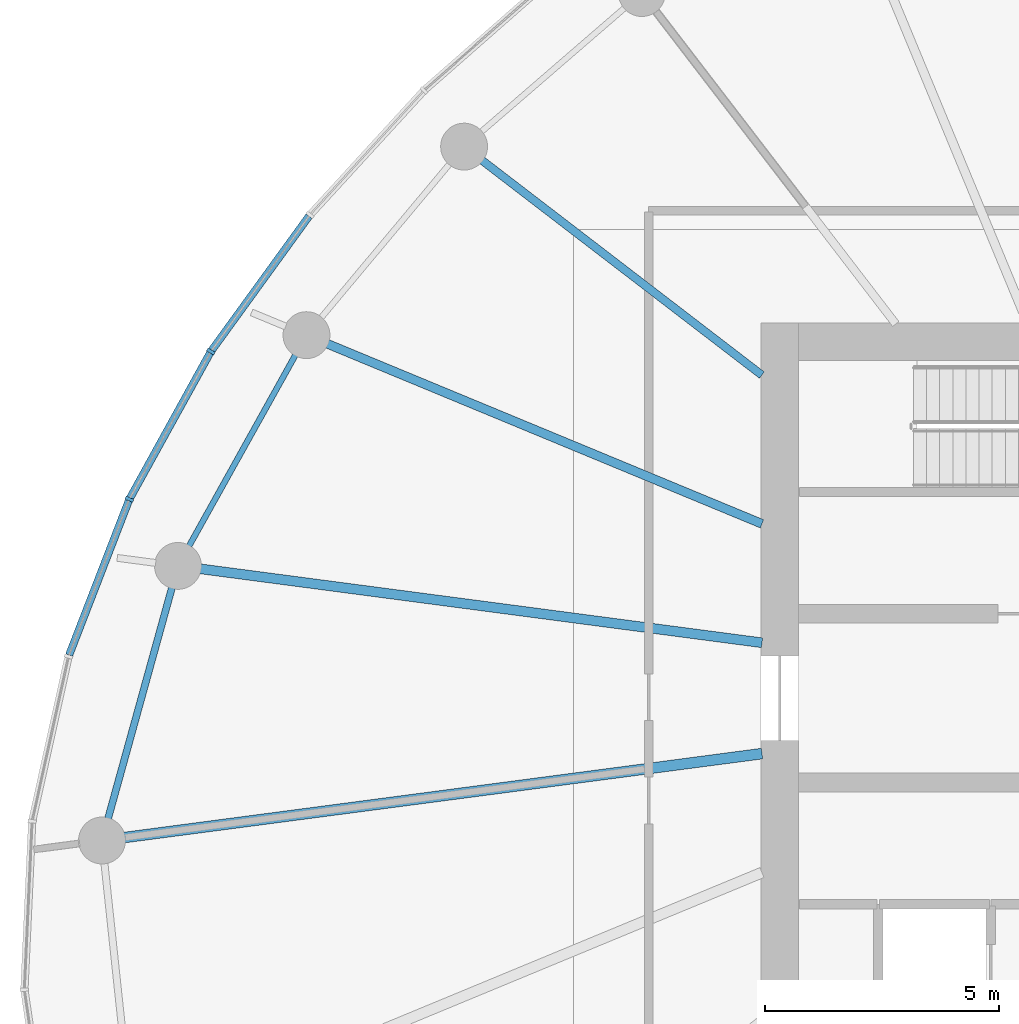
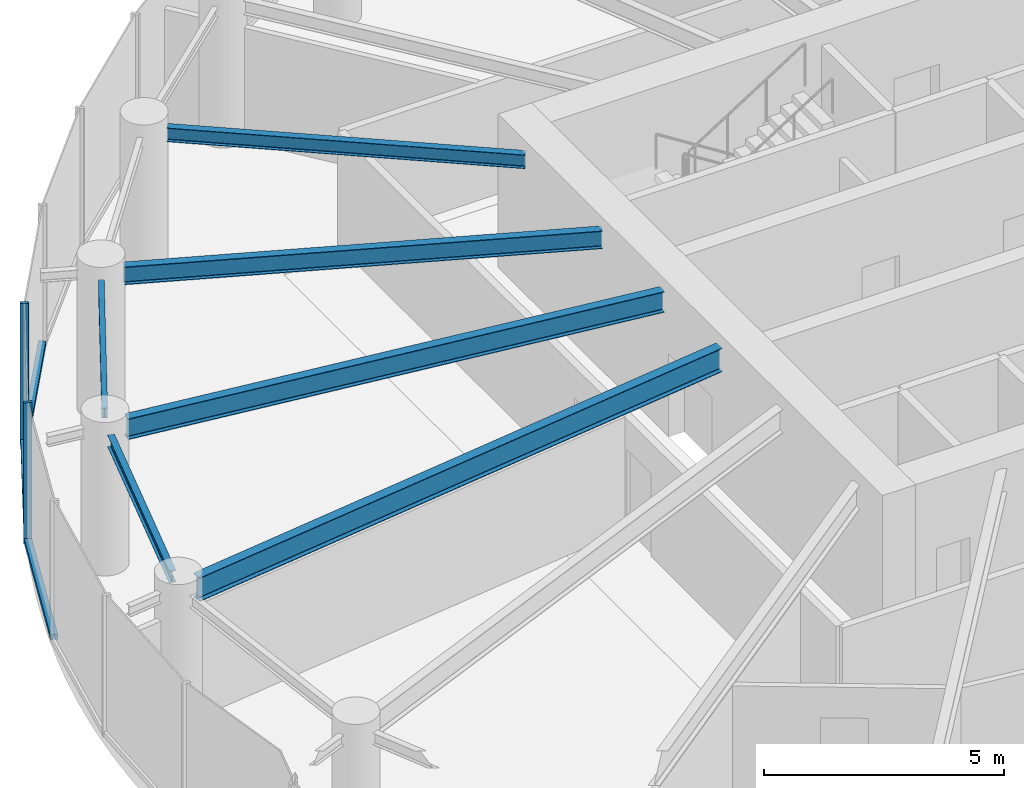
# One storey, part 3 of 14: 6 beams, 5 members, 1 element without a shape of its own.
"""IFC4 building model written with IfcOpenShell, lengths in metres."""

import ifcopenshell
import ifcopenshell.guid

model = None  # the IFC model being written
_history = None  # IfcOwnerHistory: only IFC2X3 demands one
_inside = {}  # id of a spatial element -> (the spatial element, [elements in it])
_under = {}  # id of a project, library or spatial element -> (it, [spatial elements below it])
_declared = {}  # id of a project -> (the project, [libraries it declares])
_typed = {}  # id of a type object -> (the type object, [elements of that type])
_made_of = {}  # id of a material, layer set ... -> (it, [elements and type objects made of it])


def new_model(schema):
    """Start an empty IFC model of exactly this schema.

    Asked for "IFC4X3", IfcOpenShell would pick the latest addendum, in which some entities
    have other attributes; the version numbers below select the first issue.
    IFC2X3 requires an IfcOwnerHistory on every rooted entity: one is made here for all.
    """
    global model, _history
    if schema == "IFC4X3":
        model = ifcopenshell.file(schema_version=(4, 3, 0, 0))
    else:
        model = ifcopenshell.file(schema=schema)
    _inside.clear()
    _under.clear()
    _declared.clear()
    _typed.clear()
    _made_of.clear()
    _history = None
    if model.schema == "IFC2X3":
        org = make("IfcOrganization", Name="unknown")
        user = make(
            "IfcPersonAndOrganization",
            ThePerson=make("IfcPerson", FamilyName="unknown"),
            TheOrganization=org,
        )
        app = make(
            "IfcApplication",
            ApplicationDeveloper=org,
            Version="unknown",
            ApplicationFullName="unknown",
            ApplicationIdentifier="unknown",
        )
        _history = make(
            "IfcOwnerHistory",
            OwningUser=user,
            OwningApplication=app,
            ChangeAction="ADDED",
            CreationDate=0,
        )
    return model


def make(cls, **values):
    """One entity of the class cls with the attributes given. An attribute that is None is left unset."""
    return model.create_entity(
        cls, **{name: value for name, value in values.items() if value is not None}
    )


def rooted(cls, **values):
    """An entity with a GlobalId (a new one), such as an element, a storey or a relation."""
    return make(cls, GlobalId=ifcopenshell.guid.new(), OwnerHistory=_history, **values)


def si_unit(unit_type, name, prefix=None):
    """IfcSIUnit, for example si_unit("LENGTHUNIT", "METRE", prefix="MILLI")."""
    return make("IfcSIUnit", UnitType=unit_type, Prefix=prefix, Name=name)


def assignment(units):
    """IfcUnitAssignment: the units of a project."""
    return None if units is None else make("IfcUnitAssignment", Units=units)


def point(xyz):
    """IfcCartesianPoint."""
    return None if xyz is None else make("IfcCartesianPoint", Coordinates=xyz)


def direction(xyz):
    """IfcDirection."""
    return None if xyz is None else make("IfcDirection", DirectionRatios=xyz)


def frame(location, z_axis=None, x_axis=None):
    """IfcAxis2Placement3D, a coordinate frame: its origin and axes. An axis left out is left unset."""
    return make(
        "IfcAxis2Placement3D",
        Location=point(location),
        Axis=direction(z_axis),
        RefDirection=direction(x_axis),
    )


def frame_2d(location, x_axis=None):
    """IfcAxis2Placement2D, a coordinate frame in the plane: its origin and x axis."""
    return make(
        "IfcAxis2Placement2D", Location=point(location), RefDirection=direction(x_axis)
    )


def origin():
    """The frame at (0, 0, 0) with its axes left unset."""
    return frame((0.0, 0.0, 0.0))


def origin_2d():
    """The frame at (0, 0) in the plane with its x axis left unset."""
    return frame_2d((0.0, 0.0))


def place(relative_to, where):
    """IfcLocalPlacement: puts the frame where relative to a parent placement (None: the world)."""
    return make(
        "IfcLocalPlacement", PlacementRelTo=relative_to, RelativePlacement=where
    )


def context(
    kind, dimensions, precision=None, world=None, true_north=None, identifier=None
):
    """IfcGeometricRepresentationContext, for example the 3D "Model" context."""
    return make(
        "IfcGeometricRepresentationContext",
        ContextIdentifier=identifier,
        ContextType=kind,
        CoordinateSpaceDimension=dimensions,
        Precision=precision,
        WorldCoordinateSystem=world,
        TrueNorth=true_north,
    )


def subcontext(parent, identifier, kind, view, scale=None):
    """IfcGeometricRepresentationSubContext, for example "Body" below "Model"."""
    return make(
        "IfcGeometricRepresentationSubContext",
        ContextIdentifier=identifier,
        ContextType=kind,
        ParentContext=parent,
        TargetScale=scale,
        TargetView=view,
    )


def project(units=None, contexts=None):
    """IfcProject with its units and contexts."""
    return rooted(
        "IfcProject",
        Name="project",
        RepresentationContexts=contexts,
        UnitsInContext=assignment(units),
    )


def spatial(cls, under=None, at=None, **own):
    """A site, building, storey or space (cls), placed at a placement, below another one or the project."""
    s = rooted(cls, ObjectPlacement=at, **own)
    if under is not None:
        _under.setdefault(under.id(), (under, []))[1].append(s)
    return s


def profile(cls, at=None, kind="AREA", **sizes):
    """A parametric profile (cls). Its sizes go by their IFC names, for example OverallWidth=200.0."""
    return make(cls, ProfileType=kind, Position=at, **sizes)


def rectangle(**sizes):
    """IfcRectangleProfileDef."""
    return profile("IfcRectangleProfileDef", **sizes)


def i_section(**sizes):
    """IfcIShapeProfileDef."""
    return profile("IfcIShapeProfileDef", **sizes)


def extrude(swept, where, along, depth):
    """IfcExtrudedAreaSolid: the profile swept, set in the frame where, extruded along a direction by depth."""
    return make(
        "IfcExtrudedAreaSolid",
        SweptArea=swept,
        Position=where,
        ExtrudedDirection=direction(along),
        Depth=depth,
    )


def shape(context_of_items, identifier, shape_type, items):
    """IfcShapeRepresentation: the items that make up one representation, for example the "Body"."""
    return make(
        "IfcShapeRepresentation",
        ContextOfItems=context_of_items,
        RepresentationIdentifier=identifier,
        RepresentationType=shape_type,
        Items=items,
    )


def source(mapping_origin, context_of_items, identifier, shape_type, items):
    """IfcRepresentationMap: a shape defined once, which mapped items show again and again."""
    return make(
        "IfcRepresentationMap",
        MappingOrigin=mapping_origin,
        MappedRepresentation=shape(context_of_items, identifier, shape_type, items),
    )


def transform(
    local_origin,
    x_axis=None,
    y_axis=None,
    z_axis=None,
    scale=None,
    scale2=None,
    scale3=None,
    uniform=True,
):
    """IfcCartesianTransformationOperator3D, or its non-uniform kind. x_axis, y_axis, z_axis: its Axis1, 2, 3."""
    if uniform:
        return make(
            "IfcCartesianTransformationOperator3D",
            Axis1=direction(x_axis),
            Axis2=direction(y_axis),
            LocalOrigin=point(local_origin),
            Scale=scale,
            Axis3=direction(z_axis),
        )
    return make(
        "IfcCartesianTransformationOperator3DnonUniform",
        Axis1=direction(x_axis),
        Axis2=direction(y_axis),
        LocalOrigin=point(local_origin),
        Scale=scale,
        Axis3=direction(z_axis),
        Scale2=scale2,
        Scale3=scale3,
    )


def mapped(mapping_source, mapping_target):
    """IfcMappedItem: shows the shape of a source again, moved by a transform."""
    return make(
        "IfcMappedItem", MappingSource=mapping_source, MappingTarget=mapping_target
    )


def material(Name=None, Category=None):
    """IfcMaterial."""
    return make("IfcMaterial", Name=Name, Category=Category)


def layer(
    of_material, thickness, ventilated=None, Name=None, Category=None, Priority=None
):
    """IfcMaterialLayer: one layer of a wall or slab, of a material (None: an air gap)."""
    return make(
        "IfcMaterialLayer",
        Material=of_material,
        LayerThickness=thickness,
        IsVentilated=ventilated,
        Name=Name,
        Category=Category,
        Priority=Priority,
    )


def layer_set(layers, Name=None):
    """IfcMaterialLayerSet."""
    return make("IfcMaterialLayerSet", MaterialLayers=layers, LayerSetName=Name)


def material_profile(
    of_material, cross_section, Name=None, Category=None, Priority=None
):
    """IfcMaterialProfile: a cross section and its material."""
    return make(
        "IfcMaterialProfile",
        Name=Name,
        Material=of_material,
        Profile=cross_section,
        Priority=Priority,
        Category=Category,
    )


def profile_set(profiles, Name=None, composite=None):
    """IfcMaterialProfileSet."""
    return make(
        "IfcMaterialProfileSet",
        Name=Name,
        MaterialProfiles=profiles,
        CompositeProfile=composite,
    )


def made_of(thing, what):
    """Note that an element or type object is made of a material, layer set ...; save() writes the relation."""
    if what is not None:
        _made_of.setdefault(what.id(), (what, []))[1].append(thing)
    return thing


def type_object(cls, material=None, **own):
    """A type object (cls), such as IfcWallType, which elements share."""
    return made_of(rooted(cls, **own), material)


def element(
    cls,
    number,
    at=None,
    inside=None,
    cuts=None,
    type_object=None,
    material=None,
    context=None,
    identifier="Body",
    shape_type=None,
    held_by="IfcProductDefinitionShape",
    body=None,
    shapes=None,
    **own,
):
    """One element of the class cls, such as IfcWall. Its Tag is "e" and its number.

    at: its placement. inside: the storey or other place that contains it. cuts: it is an
    opening in that element (IfcRelVoidsElement). A single representation is given by context,
    identifier, shape_type and body (its items); several are given by shapes. held_by: the class
    of the entity that holds the representations. save() writes the other relations.
    """
    e = rooted(cls, Tag="e%d" % number, ObjectPlacement=at, **own)
    if body is not None:
        shapes = [shape(context, identifier, shape_type, body)]
    if shapes is not None:
        e.Representation = make(held_by, Representations=shapes)
    if inside is not None:
        _inside.setdefault(inside.id(), (inside, []))[1].append(e)
    if cuts is not None:
        rooted(
            "IfcRelVoidsElement", RelatingBuildingElement=cuts, RelatedOpeningElement=e
        )
    if type_object is not None:
        _typed.setdefault(type_object.id(), (type_object, []))[1].append(e)
    return made_of(e, material)


def aggregate(whole, parts):
    """IfcRelAggregates: a whole, such as a stair, and the parts it consists of."""
    return rooted("IfcRelAggregates", RelatingObject=whole, RelatedObjects=parts)


def save(model, path):
    """Write the relations noted so far, then the file.

    IfcRelAggregates (storeys below a building ...), IfcRelContainedInSpatialStructure (elements
    in a storey), IfcRelDefinesByType, IfcRelAssociatesMaterial and IfcRelDeclares: one each for
    every whole, place, type object, material and project.
    """
    for whole, parts in _under.values():
        aggregate(whole, parts)
    for where, things in _inside.values():
        rooted(
            "IfcRelContainedInSpatialStructure",
            RelatedElements=things,
            RelatingStructure=where,
        )
    for kind, things in _typed.values():
        rooted("IfcRelDefinesByType", RelatedObjects=things, RelatingType=kind)
    for what, things in _made_of.values():
        rooted("IfcRelAssociatesMaterial", RelatedObjects=things, RelatingMaterial=what)
    for by, libraries in _declared.values():
        rooted("IfcRelDeclares", RelatingContext=by, RelatedDefinitions=libraries)
    model.write(path)


model = new_model("IFC4")

# Units and contexts
model_context = context("Model", 3, precision=1e-05, world=origin(), true_north=direction((0.0, 1.0)))
body_context = subcontext(model_context, "Body", "Model", "MODEL_VIEW")
ifc_project = project(units=[si_unit("LENGTHUNIT", "METRE"), si_unit("AREAUNIT", "SQUARE_METRE"), si_unit("VOLUMEUNIT", "CUBIC_METRE"), si_unit("PLANEANGLEUNIT", "RADIAN"), si_unit("MASSUNIT", "GRAM", prefix="KILO")], contexts=[model_context])

# Site, building, storey
site_placement = place(None, origin())
site = spatial("IfcSite", under=ifc_project, at=site_placement, CompositionType="ELEMENT")
building_placement = place(site_placement, origin())
building = spatial("IfcBuilding", under=site, at=building_placement, Name="Spindrift Exchange Tower", CompositionType="ELEMENT")
storey_placement = place(building_placement, frame((0.0, 0.0, 140.89990234375)))
storey = spatial("IfcBuildingStorey", under=building, at=storey_placement, Name="L33", CompositionType="ELEMENT", Elevation=140.89990234375)

# Beams
ifc_material_1 = material(Name="Steel Grade 300", Category="steel")
ifc_material_profile_1 = material_profile(ifc_material_1, i_section(OverallWidth=0.1240234375, OverallDepth=0.248046875, WebThickness=0.0048828125, FlangeThickness=0.008056640625, FilletRadius=0.011962890625, at=origin_2d()), Name="250UB25.7")
ifc_profile_set_1 = profile_set([ifc_material_profile_1], Name="Steel Grade 300")
beam_type_1 = type_object("IfcBeamType", Name="Edge Beam 250UB25.7 Steel Grade 300", PredefinedType="SPANDREL", material=ifc_profile_set_1)
shared_shape_1 = source(origin(), body_context, "Body", "SweptSolid", [
    extrude(i_section(OverallWidth=0.1240234375, OverallDepth=0.248046875, WebThickness=0.0048828125, FlangeThickness=0.008056640625, FilletRadius=0.011962890625, at=origin_2d()), origin(), (0.0, 0.0, 1.0), 4.6748046875),
])
beam_1_placement = place(storey_placement, frame((33.067138671875, 55.326171875, 3.4560546875), z_axis=(-0.486587145143, -0.873632045075, 0.0), x_axis=(0.873632045075, -0.486587145143, 0.0)))
element("IfcBeam", 1, at=beam_1_placement, inside=storey, type_object=beam_type_1, Name="L33 edge beam E11", PredefinedType="SPANDREL", context=body_context, shape_type="MappedRepresentation", body=[
    mapped(shared_shape_1, transform((0.0, 0.0, 0.0), scale=1.0)),
])
ifc_material_profile_2 = material_profile(ifc_material_1, i_section(OverallWidth=0.14892578125, OverallDepth=0.298095703125, WebThickness=0.005615234375, FlangeThickness=0.008056640625, FilletRadius=0.012939453125, at=origin_2d()), Name="310UB32.0")
ifc_profile_set_2 = profile_set([ifc_material_profile_2], Name="Steel Grade 300")
beam_type_2 = type_object("IfcBeamType", Name="Edge Beam 310UB32.0 Steel Grade 300", PredefinedType="SPANDREL", material=ifc_profile_set_2)
shared_shape_2 = source(origin(), body_context, "Body", "SweptSolid", [
    extrude(i_section(OverallWidth=0.14892578125, OverallDepth=0.298095703125, WebThickness=0.005615234375, FlangeThickness=0.008056640625, FilletRadius=0.012939453125, at=origin_2d()), origin(), (0.0, 0.0, 1.0), 5.118896484375),
])
beam_2_placement = place(storey_placement, frame((30.430908203125, 50.360107421875, 3.43115234375), z_axis=(-0.266654866605, -0.963792084485, 0.0), x_axis=(0.963792084485, -0.266654866605, 0.0)))
element("IfcBeam", 2, at=beam_2_placement, inside=storey, type_object=beam_type_2, Name="L33 edge beam E12", PredefinedType="SPANDREL", context=body_context, shape_type="MappedRepresentation", body=[
    mapped(shared_shape_2, transform((0.0, 0.0, 0.0), scale=1.0)),
])
ifc_material_profile_3 = material_profile(ifc_material_1, i_section(OverallWidth=0.22802734375, OverallDepth=0.60205078125, WebThickness=0.010498046875, FlangeThickness=0.014892578125, FilletRadius=0.013916015625, at=origin_2d()), Name="610UB101")
ifc_profile_set_3 = profile_set([ifc_material_profile_3], Name="Steel Grade 300")
beam_type_3 = type_object("IfcBeamType", Name="Floor Beam 610UB101 Steel Grade 300", PredefinedType="BEAM", material=ifc_profile_set_3)
shared_shape_3 = source(origin(), body_context, "Body", "SweptSolid", [
    extrude(i_section(OverallWidth=0.22802734375, OverallDepth=0.60205078125, WebThickness=0.010498046875, FlangeThickness=0.014892578125, FilletRadius=0.013916015625, at=origin_2d()), origin(), (0.0, 0.0, 1.0), 13.723388671875),
])
beam_3_placement = place(storey_placement, frame((43.019775390625, 46.817626953125, 3.279052734375), z_axis=(-0.991447148915, -0.13050881544, 0.0), x_axis=(0.13050881544, -0.991447148915, 0.0)))
element("IfcBeam", 3, at=beam_3_placement, inside=storey, type_object=beam_type_3, Name="L33 radial beam R13A", PredefinedType="BEAM", context=body_context, shape_type="MappedRepresentation", body=[
    mapped(shared_shape_3, transform((0.0, 0.0, 0.0), scale=1.0)),
])
ifc_material_profile_4 = material_profile(ifc_material_1, i_section(OverallWidth=0.1708984375, OverallDepth=0.35205078125, WebThickness=0.0068359375, FlangeThickness=0.009765625, FilletRadius=0.013916015625, at=origin_2d()), Name="360UB44.7")
ifc_profile_set_4 = profile_set([ifc_material_profile_4], Name="Steel Grade 300")
beam_type_4 = type_object("IfcBeamType", Name="Floor Beam 360UB44.7 Steel Grade 300", PredefinedType="BEAM", material=ifc_profile_set_4)
shared_shape_4 = source(origin(), body_context, "Body", "SweptSolid", [
    extrude(i_section(OverallWidth=0.1708984375, OverallDepth=0.35205078125, WebThickness=0.0068359375, FlangeThickness=0.009765625, FilletRadius=0.013916015625, at=origin_2d()), origin(), (0.0, 0.0, 1.0), 7.52685546875),
])
beam_4_placement = place(storey_placement, frame((43.015869140625, 54.893798828125, 3.404052734375), z_axis=(-0.793354136078, 0.608760391918, 0.0), x_axis=(-0.608760391918, -0.793354136078, 0.0)))
element("IfcBeam", 4, at=beam_4_placement, inside=storey, type_object=beam_type_4, Name="L33 radial beam R10A", PredefinedType="BEAM", context=body_context, shape_type="MappedRepresentation", body=[
    mapped(shared_shape_4, transform((0.0, 0.0, 0.0), scale=1.0)),
])
ifc_material_profile_5 = material_profile(ifc_material_1, i_section(OverallWidth=0.18994140625, OverallDepth=0.4541015625, WebThickness=0.008544921875, FlangeThickness=0.0126953125, FilletRadius=0.013916015625, at=origin_2d()), Name="460UB67.1")
ifc_profile_set_5 = profile_set([ifc_material_profile_5], Name="Steel Grade 300")
beam_type_5 = type_object("IfcBeamType", Name="Floor Beam 460UB67.1 Steel Grade 300", PredefinedType="BEAM", material=ifc_profile_set_5)
shared_shape_5 = source(origin(), body_context, "Body", "SweptSolid", [
    extrude(i_section(OverallWidth=0.18994140625, OverallDepth=0.4541015625, WebThickness=0.008544921875, FlangeThickness=0.0126953125, FilletRadius=0.013916015625, at=origin_2d()), origin(), (0.0, 0.0, 1.0), 10.03857421875),
])
beam_5_placement = place(storey_placement, frame((43.0185546875, 51.72021484375, 3.35302734375), z_axis=(-0.923880777638, 0.382680426349, 0.0), x_axis=(-0.382680426349, -0.923880777638, 0.0)))
element("IfcBeam", 5, at=beam_5_placement, inside=storey, type_object=beam_type_5, Name="L33 radial beam R11A", PredefinedType="BEAM", context=body_context, shape_type="MappedRepresentation", body=[
    mapped(shared_shape_5, transform((0.0, 0.0, 0.0), scale=1.0)),
])
ifc_material_profile_6 = material_profile(ifc_material_1, i_section(OverallWidth=0.208984375, OverallDepth=0.528076171875, WebThickness=0.009521484375, FlangeThickness=0.01318359375, FilletRadius=0.013916015625, at=origin_2d()), Name="530UB82.0")
ifc_profile_set_6 = profile_set([ifc_material_profile_6], Name="Steel Grade 300")
beam_type_6 = type_object("IfcBeamType", Name="Floor Beam 530UB82.0 Steel Grade 300", PredefinedType="BEAM", material=ifc_profile_set_6)
shared_shape_6 = source(origin(), body_context, "Body", "SweptSolid", [
    extrude(i_section(OverallWidth=0.208984375, OverallDepth=0.528076171875, WebThickness=0.009521484375, FlangeThickness=0.01318359375, FilletRadius=0.013916015625, at=origin_2d()), origin(), (0.0, 0.0, 1.0), 12.088134765625),
])
beam_6_placement = place(storey_placement, frame((43.019775390625, 49.182373046875, 3.316162109375), z_axis=(-0.991447007302, 0.130509891244, 0.0), x_axis=(-0.130509891244, -0.991447007302, 0.0)))
element("IfcBeam", 6, at=beam_6_placement, inside=storey, type_object=beam_type_6, Name="L33 radial beam R12A", PredefinedType="BEAM", context=body_context, shape_type="MappedRepresentation", body=[
    mapped(shared_shape_6, transform((0.0, 0.0, 0.0), scale=1.0)),
])

# Curtain wall, members
ifc_material_2 = material(Name="Fritted laminated glass with bronze frame", Category="glass")
ifc_layer = layer(ifc_material_2, 0.179931640625)
ifc_layer_set = layer_set([ifc_layer], Name="ZONE 3 BRONZE FRITTED WALL")
curtain_wall_type = type_object("IfcCurtainWallType", Name="ZONE 3 BRONZE FRITTED WALL", PredefinedType="NOTDEFINED", material=ifc_layer_set)
curtain_wall_placement = place(storey_placement, origin())
curtain_wall = element("IfcCurtainWall", 7, at=curtain_wall_placement, inside=storey, type_object=curtain_wall_type, Name="L33 Zone 3 Bronze Fritted Wall run 3", PredefinedType="NOTDEFINED")
ifc_material_3 = material(Name="Bronze anodised aluminium", Category="aluminium")
ifc_material_profile_7 = material_profile(ifc_material_3, rectangle(XDim=0.159912109375, YDim=0.1298828125, at=origin_2d()), Name="ZONE 3 BRONZE FRITTED WALL TRANSOM 160X130")
ifc_profile_set_7 = profile_set([ifc_material_profile_7], Name="Bronze anodised aluminium")
member_type_1 = type_object("IfcMemberType", Name="ZONE 3 BRONZE FRITTED WALL TRANSOM 160X130", PredefinedType="USERDEFINED", material=ifc_profile_set_7)
shared_shape_7 = source(origin(), body_context, "Body", "SweptSolid", [
    extrude(rectangle(XDim=0.159912109375, YDim=0.1298828125, at=origin_2d()), origin(), (0.0, 0.0, 1.0), 3.530517578125),
])
member_1_placement = place(storey_placement, frame((33.353759765625, 58.2841796875, 0.065185546875), z_axis=(-0.587032160655, -0.809563612298, 0.0), x_axis=(0.809563612298, -0.587032160655, 0.0)))
member_1 = element("IfcMember", 8, at=member_1_placement, type_object=member_type_1, Name="L33 transom CW-3.14", ObjectType="TRANSOM", PredefinedType="USERDEFINED", context=body_context, shape_type="MappedRepresentation", body=[
    mapped(shared_shape_7, transform((0.0, 0.0, 0.0), scale=1.0)),
])
ifc_material_profile_8 = material_profile(ifc_material_3, rectangle(XDim=0.070068359375, YDim=0.179931640625, at=origin_2d()), Name="ZONE 3 BRONZE FRITTED WALL MULLION 70X180")
ifc_profile_set_8 = profile_set([ifc_material_profile_8], Name="Bronze anodised aluminium")
member_type_2 = type_object("IfcMemberType", Name="ZONE 3 BRONZE FRITTED WALL MULLION 70X180", PredefinedType="MULLION", material=ifc_profile_set_8)
shared_shape_8 = source(origin(), body_context, "Body", "SweptSolid", [
    extrude(rectangle(XDim=0.070068359375, YDim=0.179931640625, at=origin_2d()), origin(), (0.0, 0.0, 1.0), 3.580078125),
])
member_2_placement = place(storey_placement, frame((31.2607421875, 55.397705078125, 0.0), z_axis=(0.0, 0.0, 1.0), x_axis=(-0.536110394321, -0.844147881062, 0.0)))
member_2 = element("IfcMember", 9, at=member_2_placement, type_object=member_type_2, Name="L33 mullion CW-3.15", PredefinedType="MULLION", context=body_context, shape_type="MappedRepresentation", body=[
    mapped(shared_shape_8, transform((0.0, 0.0, 0.0), scale=1.0)),
])
member_3_placement = place(storey_placement, frame((29.521240234375, 52.245849609375, 0.0), z_axis=(0.0, 0.0, 1.0), x_axis=(-0.422894186123, -0.906179070241, 0.0)))
member_3 = element("IfcMember", 10, at=member_3_placement, type_object=member_type_2, Name="L33 mullion CW-3.16", PredefinedType="MULLION", context=body_context, shape_type="MappedRepresentation", body=[
    mapped(shared_shape_8, transform((0.0, 0.0, 0.0), scale=1.0)),
])
shared_shape_9 = source(origin(), body_context, "Body", "SweptSolid", [
    extrude(rectangle(XDim=0.159912109375, YDim=0.1298828125, at=origin_2d()), origin(), (0.0, 0.0, 1.0), 3.530029296875),
])
member_4_placement = place(storey_placement, frame((31.243896484375, 55.366943359375, 0.065185546875), z_axis=(-0.483168758262, -0.875527241746, 0.0), x_axis=(0.875527241746, -0.483168758262, 0.0)))
member_4 = element("IfcMember", 11, at=member_4_placement, type_object=member_type_1, Name="L33 transom CW-3.15", ObjectType="TRANSOM", PredefinedType="USERDEFINED", context=body_context, shape_type="MappedRepresentation", body=[
    mapped(shared_shape_9, transform((0.0, 0.0, 0.0), scale=1.0)),
])
shared_shape_10 = source(origin(), body_context, "Body", "SweptSolid", [
    extrude(rectangle(XDim=0.159912109375, YDim=0.1298828125, at=origin_2d()), origin(), (0.0, 0.0, 1.0), 3.529541015625),
])
member_5_placement = place(storey_placement, frame((29.5087890625, 52.213134765625, 0.065185546875), z_axis=(-0.360656425353, -0.932698741745, 0.0), x_axis=(0.932698741745, -0.360656425353, 0.0)))
member_5 = element("IfcMember", 12, at=member_5_placement, type_object=member_type_1, Name="L33 transom CW-3.16", ObjectType="TRANSOM", PredefinedType="USERDEFINED", context=body_context, shape_type="MappedRepresentation", body=[
    mapped(shared_shape_10, transform((0.0, 0.0, 0.0), scale=1.0)),
])
aggregate(curtain_wall, [member_1, member_2, member_4, member_3, member_5])

save(model, "model.ifc")
